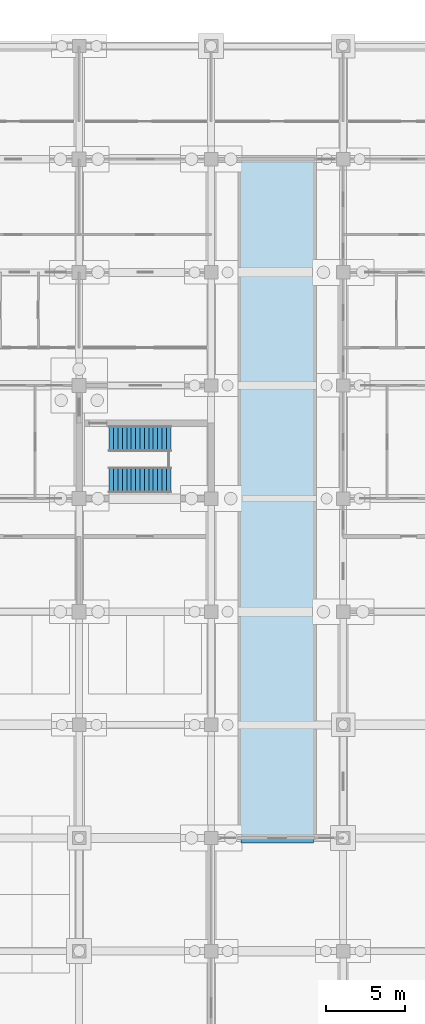
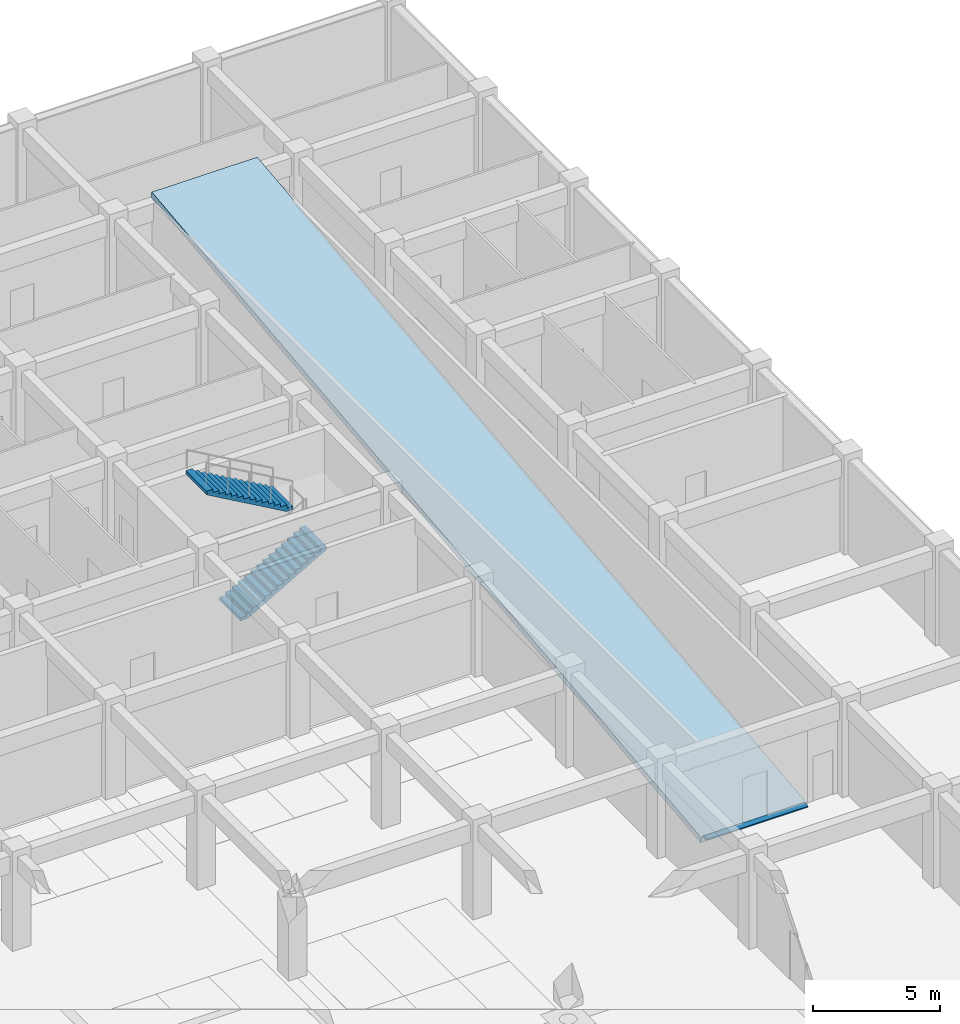
# One storey, part 81 of 85: 2 stair flights, 1 ramp, 1 slab, 1 element without a shape of its own.
"""IFC4 building model written with IfcOpenShell, lengths in metres."""

import ifcopenshell
import ifcopenshell.guid

model = None  # the IFC model being written
_history = None  # IfcOwnerHistory: only IFC2X3 demands one
_inside = {}  # id of a spatial element -> (the spatial element, [elements in it])
_under = {}  # id of a project, library or spatial element -> (it, [spatial elements below it])
_declared = {}  # id of a project -> (the project, [libraries it declares])
_typed = {}  # id of a type object -> (the type object, [elements of that type])
_made_of = {}  # id of a material, layer set ... -> (it, [elements and type objects made of it])


def new_model(schema):
    """Start an empty IFC model of exactly this schema.

    Asked for "IFC4X3", IfcOpenShell would pick the latest addendum, in which some entities
    have other attributes; the version numbers below select the first issue.
    IFC2X3 requires an IfcOwnerHistory on every rooted entity: one is made here for all.
    """
    global model, _history
    if schema == "IFC4X3":
        model = ifcopenshell.file(schema_version=(4, 3, 0, 0))
    else:
        model = ifcopenshell.file(schema=schema)
    _inside.clear()
    _under.clear()
    _declared.clear()
    _typed.clear()
    _made_of.clear()
    _history = None
    if model.schema == "IFC2X3":
        org = make("IfcOrganization", Name="unknown")
        user = make(
            "IfcPersonAndOrganization",
            ThePerson=make("IfcPerson", FamilyName="unknown"),
            TheOrganization=org,
        )
        app = make(
            "IfcApplication",
            ApplicationDeveloper=org,
            Version="unknown",
            ApplicationFullName="unknown",
            ApplicationIdentifier="unknown",
        )
        _history = make(
            "IfcOwnerHistory",
            OwningUser=user,
            OwningApplication=app,
            ChangeAction="ADDED",
            CreationDate=0,
        )
    return model


def make(cls, **values):
    """One entity of the class cls with the attributes given. An attribute that is None is left unset."""
    return model.create_entity(
        cls, **{name: value for name, value in values.items() if value is not None}
    )


def rooted(cls, **values):
    """An entity with a GlobalId (a new one), such as an element, a storey or a relation."""
    return make(cls, GlobalId=ifcopenshell.guid.new(), OwnerHistory=_history, **values)


def si_unit(unit_type, name, prefix=None):
    """IfcSIUnit, for example si_unit("LENGTHUNIT", "METRE", prefix="MILLI")."""
    return make("IfcSIUnit", UnitType=unit_type, Prefix=prefix, Name=name)


def assignment(units):
    """IfcUnitAssignment: the units of a project."""
    return None if units is None else make("IfcUnitAssignment", Units=units)


def point(xyz):
    """IfcCartesianPoint."""
    return None if xyz is None else make("IfcCartesianPoint", Coordinates=xyz)


def direction(xyz):
    """IfcDirection."""
    return None if xyz is None else make("IfcDirection", DirectionRatios=xyz)


def frame(location, z_axis=None, x_axis=None):
    """IfcAxis2Placement3D, a coordinate frame: its origin and axes. An axis left out is left unset."""
    return make(
        "IfcAxis2Placement3D",
        Location=point(location),
        Axis=direction(z_axis),
        RefDirection=direction(x_axis),
    )


def frame_2d(location, x_axis=None):
    """IfcAxis2Placement2D, a coordinate frame in the plane: its origin and x axis."""
    return make(
        "IfcAxis2Placement2D", Location=point(location), RefDirection=direction(x_axis)
    )


def origin():
    """The frame at (0, 0, 0) with its axes left unset."""
    return frame((0.0, 0.0, 0.0))


def origin_2d():
    """The frame at (0, 0) in the plane with its x axis left unset."""
    return frame_2d((0.0, 0.0))


def place(relative_to, where):
    """IfcLocalPlacement: puts the frame where relative to a parent placement (None: the world)."""
    return make(
        "IfcLocalPlacement", PlacementRelTo=relative_to, RelativePlacement=where
    )


def context(
    kind, dimensions, precision=None, world=None, true_north=None, identifier=None
):
    """IfcGeometricRepresentationContext, for example the 3D "Model" context."""
    return make(
        "IfcGeometricRepresentationContext",
        ContextIdentifier=identifier,
        ContextType=kind,
        CoordinateSpaceDimension=dimensions,
        Precision=precision,
        WorldCoordinateSystem=world,
        TrueNorth=true_north,
    )


def subcontext(parent, identifier, kind, view, scale=None):
    """IfcGeometricRepresentationSubContext, for example "Body" below "Model"."""
    return make(
        "IfcGeometricRepresentationSubContext",
        ContextIdentifier=identifier,
        ContextType=kind,
        ParentContext=parent,
        TargetScale=scale,
        TargetView=view,
    )


def project(units=None, contexts=None):
    """IfcProject with its units and contexts."""
    return rooted(
        "IfcProject",
        Name="project",
        RepresentationContexts=contexts,
        UnitsInContext=assignment(units),
    )


def spatial(cls, under=None, at=None, **own):
    """A site, building, storey or space (cls), placed at a placement, below another one or the project."""
    s = rooted(cls, ObjectPlacement=at, **own)
    if under is not None:
        _under.setdefault(under.id(), (under, []))[1].append(s)
    return s


def polyline(points):
    """IfcPolyline through the points."""
    return make("IfcPolyline", Points=[point(p) for p in points])


def profile(cls, at=None, kind="AREA", **sizes):
    """A parametric profile (cls). Its sizes go by their IFC names, for example OverallWidth=200.0."""
    return make(cls, ProfileType=kind, Position=at, **sizes)


def rectangle(**sizes):
    """IfcRectangleProfileDef."""
    return profile("IfcRectangleProfileDef", **sizes)


def outline(outer, holes=None, kind="AREA"):
    """IfcArbitraryClosedProfileDef: a profile drawn as a closed curve; with holes, ...WithVoids."""
    if holes is None:
        return make("IfcArbitraryClosedProfileDef", ProfileType=kind, OuterCurve=outer)
    return make(
        "IfcArbitraryProfileDefWithVoids",
        ProfileType=kind,
        OuterCurve=outer,
        InnerCurves=holes,
    )


def extrude(swept, where, along, depth):
    """IfcExtrudedAreaSolid: the profile swept, set in the frame where, extruded along a direction by depth."""
    return make(
        "IfcExtrudedAreaSolid",
        SweptArea=swept,
        Position=where,
        ExtrudedDirection=direction(along),
        Depth=depth,
    )


def shape(context_of_items, identifier, shape_type, items):
    """IfcShapeRepresentation: the items that make up one representation, for example the "Body"."""
    return make(
        "IfcShapeRepresentation",
        ContextOfItems=context_of_items,
        RepresentationIdentifier=identifier,
        RepresentationType=shape_type,
        Items=items,
    )


def material(Name=None, Category=None):
    """IfcMaterial."""
    return make("IfcMaterial", Name=Name, Category=Category)


def layer(
    of_material, thickness, ventilated=None, Name=None, Category=None, Priority=None
):
    """IfcMaterialLayer: one layer of a wall or slab, of a material (None: an air gap)."""
    return make(
        "IfcMaterialLayer",
        Material=of_material,
        LayerThickness=thickness,
        IsVentilated=ventilated,
        Name=Name,
        Category=Category,
        Priority=Priority,
    )


def layer_set(layers, Name=None):
    """IfcMaterialLayerSet."""
    return make("IfcMaterialLayerSet", MaterialLayers=layers, LayerSetName=Name)


def made_of(thing, what):
    """Note that an element or type object is made of a material, layer set ...; save() writes the relation."""
    if what is not None:
        _made_of.setdefault(what.id(), (what, []))[1].append(thing)
    return thing


def type_object(cls, material=None, **own):
    """A type object (cls), such as IfcWallType, which elements share."""
    return made_of(rooted(cls, **own), material)


def element(
    cls,
    number,
    at=None,
    inside=None,
    cuts=None,
    type_object=None,
    material=None,
    context=None,
    identifier="Body",
    shape_type=None,
    held_by="IfcProductDefinitionShape",
    body=None,
    shapes=None,
    **own,
):
    """One element of the class cls, such as IfcWall. Its Tag is "e" and its number.

    at: its placement. inside: the storey or other place that contains it. cuts: it is an
    opening in that element (IfcRelVoidsElement). A single representation is given by context,
    identifier, shape_type and body (its items); several are given by shapes. held_by: the class
    of the entity that holds the representations. save() writes the other relations.
    """
    e = rooted(cls, Tag="e%d" % number, ObjectPlacement=at, **own)
    if body is not None:
        shapes = [shape(context, identifier, shape_type, body)]
    if shapes is not None:
        e.Representation = make(held_by, Representations=shapes)
    if inside is not None:
        _inside.setdefault(inside.id(), (inside, []))[1].append(e)
    if cuts is not None:
        rooted(
            "IfcRelVoidsElement", RelatingBuildingElement=cuts, RelatedOpeningElement=e
        )
    if type_object is not None:
        _typed.setdefault(type_object.id(), (type_object, []))[1].append(e)
    return made_of(e, material)


def aggregate(whole, parts):
    """IfcRelAggregates: a whole, such as a stair, and the parts it consists of."""
    return rooted("IfcRelAggregates", RelatingObject=whole, RelatedObjects=parts)


def save(model, path):
    """Write the relations noted so far, then the file.

    IfcRelAggregates (storeys below a building ...), IfcRelContainedInSpatialStructure (elements
    in a storey), IfcRelDefinesByType, IfcRelAssociatesMaterial and IfcRelDeclares: one each for
    every whole, place, type object, material and project.
    """
    for whole, parts in _under.values():
        aggregate(whole, parts)
    for where, things in _inside.values():
        rooted(
            "IfcRelContainedInSpatialStructure",
            RelatedElements=things,
            RelatingStructure=where,
        )
    for kind, things in _typed.values():
        rooted("IfcRelDefinesByType", RelatedObjects=things, RelatingType=kind)
    for what, things in _made_of.values():
        rooted("IfcRelAssociatesMaterial", RelatedObjects=things, RelatingMaterial=what)
    for by, libraries in _declared.values():
        rooted("IfcRelDeclares", RelatingContext=by, RelatedDefinitions=libraries)
    model.write(path)


model = new_model("IFC4")

# Units and contexts
model_context = context("Model", 3, precision=1e-05, world=origin(), true_north=direction((0.0, 1.0)))
body_context = subcontext(model_context, "Body", "Model", "MODEL_VIEW")
ifc_project = project(units=[si_unit("LENGTHUNIT", "METRE"), si_unit("AREAUNIT", "SQUARE_METRE"), si_unit("VOLUMEUNIT", "CUBIC_METRE"), si_unit("PLANEANGLEUNIT", "RADIAN"), si_unit("MASSUNIT", "GRAM", prefix="KILO")], contexts=[model_context])

# Slab
ifc_material = material(Name="Concrete C40", Category="concrete")
ifc_layer = layer(ifc_material, 0.280029296875)
ifc_layer_set = layer_set([ifc_layer], Name="Concrete C40")
slab_type = type_object("IfcSlabType", Name="SL-RMP", PredefinedType="FLOOR", material=ifc_layer_set)
site_placement = place(None, origin())
building_placement = place(site_placement, origin())
storey_placement = place(building_placement, frame((0.0, 0.0, -10.199951171875)))
slab_placement = place(storey_placement, frame((153.0, 64.800048828125, 0.0), z_axis=(0.0, -0.110180571954, 0.993911586392), x_axis=(1.0, 0.0, 0.0)))
slab = element("IfcSlab", 1, at=slab_placement, type_object=slab_type, Name="Basement Car Park Vehicle Ramp Slab 1", PredefinedType="FLOOR", context=body_context, shape_type="SweptSolid", body=[
    extrude(outline(polyline([(0.0, 0.0), (4.800048828125, 0.0), (4.800048828125, 43.5652923468946), (0.0, 43.5652923468946), (0.0, 0.0)])), origin(), (0.0, 0.0, -1.0), 0.280029296875),
])

# Site, building, storey
site = spatial("IfcSite", under=ifc_project, at=site_placement, CompositionType="ELEMENT")
building = spatial("IfcBuilding", under=site, at=building_placement, Name="Chengyuan Square Courthouse", CompositionType="ELEMENT")
storey = spatial("IfcBuildingStorey", under=building, at=storey_placement, Name="B02", CompositionType="ELEMENT", Elevation=-10.199951171875)

# Stair, stair flights
stair_type = type_object("IfcStairType", Name="ST-TYPE-10", PredefinedType="HALF_TURN_STAIR", material=ifc_material)
stair_placement = place(storey_placement, origin())
stair = element("IfcStair", 2, at=stair_placement, inside=storey, type_object=stair_type, Name="Smoke-Proof Exit Stair ST-10 (B02 to B01)", PredefinedType="HALF_TURN_STAIR")
stair_flight_type = type_object("IfcStairFlightType", Name="STF-TYPE-10", PredefinedType="STRAIGHT", material=ifc_material)
stair_flight_1_placement = place(storey_placement, frame((144.7099609375, 87.574951171875, 0.0), z_axis=(0.0, 0.0, 1.0), x_axis=(1.0, 0.0, 0.0)))
stair_flight_1 = element("IfcStairFlight", 3, at=stair_flight_1_placement, type_object=stair_flight_type, Name="ST-10 flight 1", NumberOfRisers=15, NumberOfTreads=14, PredefinedType="STRAIGHT", RiserHeight=0.16, TreadLength=0.28, context=body_context, shape_type="SweptSolid", body=[
    extrude(outline(polyline([(0.0, 0.0), (0.0, 0.159912109375), (0.280029296875, 0.159912109375), (0.280029296875, 0.320068359375), (0.56005859375, 0.320068359375), (0.56005859375, 0.47998046875), (0.840087890625, 0.47998046875), (0.840087890625, 0.639892578125), (1.1201171875, 0.639892578125), (1.1201171875, 0.800048828125), (1.39990234375, 0.800048828125), (1.39990234375, 0.9599609375), (1.679931640625, 0.9599609375), (1.679931640625, 1.1201171875), (1.9599609375, 1.1201171875), (1.9599609375, 1.280029296875), (2.239990234375, 1.280029296875), (2.239990234375, 1.43994140625), (2.52001953125, 1.43994140625), (2.52001953125, 1.60009765625), (2.800048828125, 1.60009765625), (2.800048828125, 1.760009765625), (3.080078125, 1.760009765625), (3.080078125, 1.919921875), (3.360107421875, 1.919921875), (3.360107421875, 2.080078125), (3.639892578125, 2.080078125), (3.639892578125, 2.239990234375), (3.919921875, 2.239990234375), (3.919921875, 2.39990234375), (3.919921875, 2.0673828125), (0.30224609375, 0.0), (0.0, 0.0)])), frame((0.0, 0.824951171875, 0.0), z_axis=(0.0, -1.0, 0.0), x_axis=(1.0, 0.0, 0.0)), (0.0, 0.0, 1.0), 1.64990234375),
])
stair_flight_2_placement = place(storey_placement, frame((148.6298828125, 90.22509765625, 2.39990234375), z_axis=(0.0, 0.0, 1.0), x_axis=(-1.0, 0.0, 0.0)))
stair_flight_2 = element("IfcStairFlight", 4, at=stair_flight_2_placement, type_object=stair_flight_type, Name="ST-10 flight 2", NumberOfRisers=15, NumberOfTreads=14, PredefinedType="STRAIGHT", RiserHeight=0.16, TreadLength=0.28, context=body_context, shape_type="SweptSolid", body=[
    extrude(outline(polyline([(0.0, 0.0), (0.0, 0.159912109375), (0.280029296875, 0.159912109375), (0.280029296875, 0.320068359375), (0.56005859375, 0.320068359375), (0.56005859375, 0.47998046875), (0.840087890625, 0.47998046875), (0.840087890625, 0.639892578125), (1.1201171875, 0.639892578125), (1.1201171875, 0.800048828125), (1.39990234375, 0.800048828125), (1.39990234375, 0.9599609375), (1.679931640625, 0.9599609375), (1.679931640625, 1.1201171875), (1.9599609375, 1.1201171875), (1.9599609375, 1.280029296875), (2.239990234375, 1.280029296875), (2.239990234375, 1.43994140625), (2.52001953125, 1.43994140625), (2.52001953125, 1.60009765625), (2.800048828125, 1.60009765625), (2.800048828125, 1.760009765625), (3.080078125, 1.760009765625), (3.080078125, 1.919921875), (3.360107421875, 1.919921875), (3.360107421875, 2.080078125), (3.639892578125, 2.080078125), (3.639892578125, 2.239990234375), (3.919921875, 2.239990234375), (3.919921875, 2.39990234375), (3.919921875, 2.0673828125), (0.30224609375, 0.0), (0.0, 0.0)])), frame((0.0, 0.824951171875, 0.0), z_axis=(0.0, -1.0, 0.0), x_axis=(1.0, 0.0, 0.0)), (0.0, 0.0, 1.0), 1.64990234375),
])
aggregate(stair, [stair_flight_1, stair_flight_2])

# Ramp
ramp_type = type_object("IfcRampType", Name="RMP-V1", PredefinedType="STRAIGHT_RUN_RAMP", material=ifc_material)
ramp_placement = place(storey_placement, frame((155.39990234375, 64.639892578125, 0.00048828125), z_axis=(0.0, 0.0, 1.0), x_axis=(1.0, 0.0, 0.0)))
ramp = element("IfcRamp", 5, at=ramp_placement, inside=storey, type_object=ramp_type, Name="Basement Car Park Ramp R2", PredefinedType="STRAIGHT_RUN_RAMP", context=body_context, shape_type="SweptSolid", body=[
    extrude(rectangle(XDim=4.60009765625, YDim=0.300048828125, at=origin_2d()), origin(), (0.0, 0.0, 1.0), 0.050048828125),
])

aggregate(ramp, [slab])

save(model, "model.ifc")
